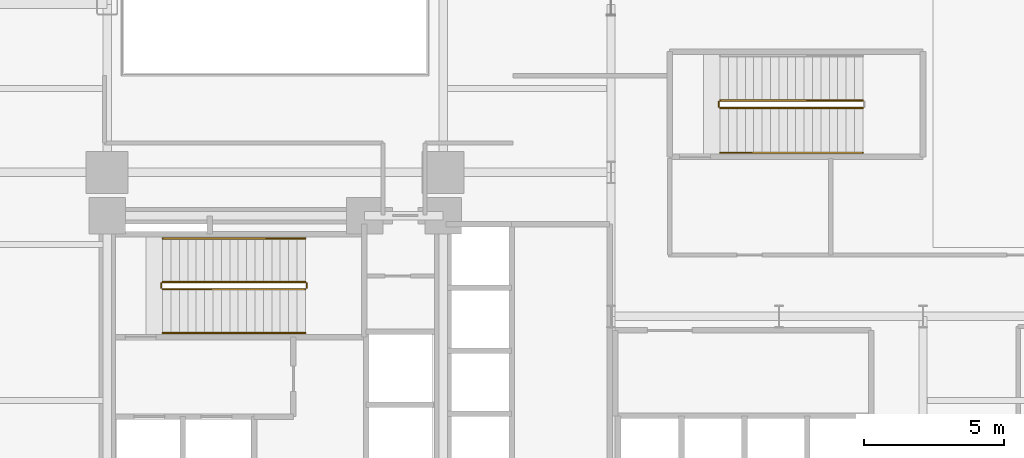
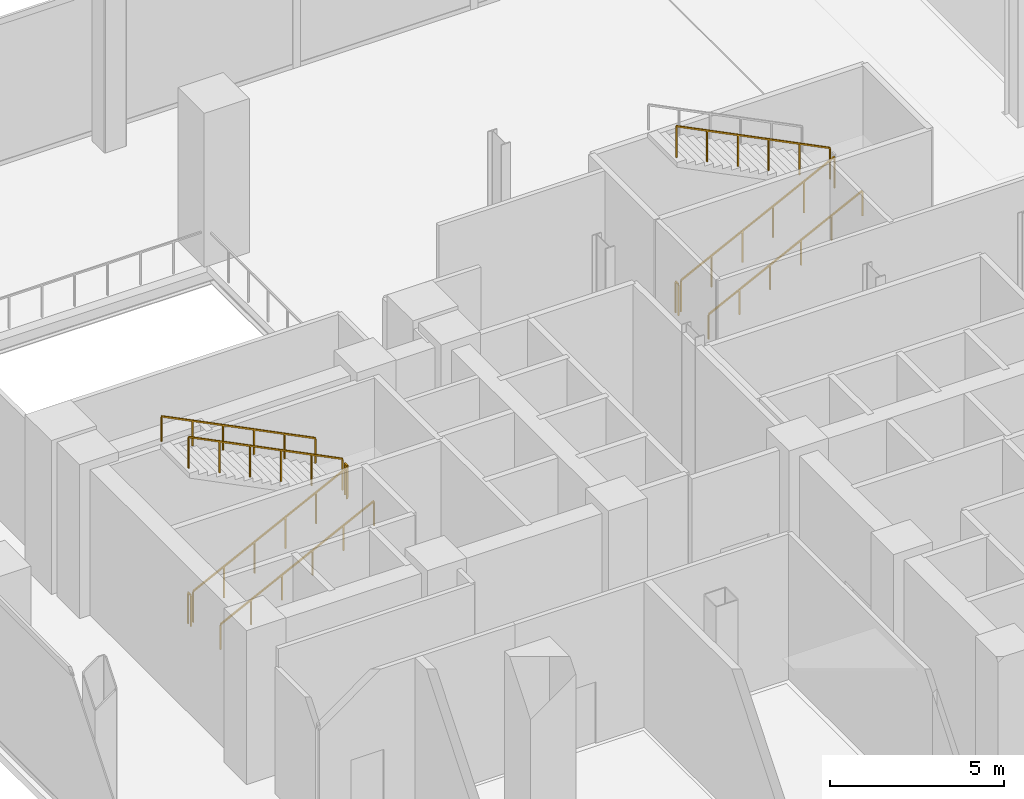
# One storey, part 25 of 28: 10 railings.
"""IFC4 building model written with IfcOpenShell, lengths in metres."""

from ifc_helpers import new_model, si_unit, direction, frame, origin, origin_2d, place, context, subcontext, project, spatial, rectangle, extrude, material, type_object, element, save


model = new_model("IFC4")

# Units and contexts
model_context = context("Model", 3, precision=1e-05, world=origin(), true_north=direction((0.0, 1.0)))
body_context = subcontext(model_context, "Body", "Model", "MODEL_VIEW")
ifc_project = project(units=[si_unit("LENGTHUNIT", "METRE"), si_unit("AREAUNIT", "SQUARE_METRE"), si_unit("VOLUMEUNIT", "CUBIC_METRE"), si_unit("PLANEANGLEUNIT", "RADIAN"), si_unit("MASSUNIT", "GRAM", prefix="KILO"), si_unit("THERMODYNAMICTEMPERATUREUNIT", "KELVIN"), si_unit("POWERUNIT", "WATT")], contexts=[model_context])

# Site, building, storey
site_placement = place(None, origin())
site = spatial("IfcSite", under=ifc_project, at=site_placement, CompositionType="ELEMENT")
building_placement = place(site_placement, origin())
building = spatial("IfcBuilding", under=site, at=building_placement, Name="Svarakhadi Broadcast Tower", CompositionType="ELEMENT")
storey_placement = place(building_placement, frame((0.0, 0.0, 11.10009765625)))
storey = spatial("IfcBuildingStorey", under=building, at=storey_placement, Name="L02", CompositionType="ELEMENT", Elevation=11.10009765625)

# Railings
ifc_material = material(Name="Anodised Bronze Aluminium AA 6063-T6", Category="aluminium")
railing_type_1 = type_object("IfcRailingType", Name="Guard_Stair_GR01", PredefinedType="GUARDRAIL", material=ifc_material)
railing_1_placement = place(storey_placement, frame((7.97998046875, 24.969970703125, 0.14990234375)))
element("IfcRailing", 1, at=railing_1_placement, inside=storey, type_object=railing_type_1, Name="L02 ST-01 stair guard 1", PredefinedType="GUARDRAIL", context=body_context, shape_type="SweptSolid", body=[
    extrude(rectangle(XDim=0.048095703125, YDim=0.048095703125, at=origin_2d()), frame((0.0, 0.0, 1.09619140625), z_axis=(0.894427191, 0.0, 0.4472135955), x_axis=(0.0, 1.0, 0.0)), (0.0, 0.0, 1.0), 5.7021484375),
    extrude(rectangle(XDim=0.0419921875, YDim=0.0419921875, at=origin_2d()), origin(), (0.0, 0.0, 1.0), 1.072021484375),
    extrude(rectangle(XDim=0.0419921875, YDim=0.0419921875, at=origin_2d()), frame((1.02001953125, 0.0, 0.510009765625)), (0.0, 0.0, 1.0), 1.072021484375),
    extrude(rectangle(XDim=0.0419921875, YDim=0.0419921875, at=origin_2d()), frame((2.0400390625, 0.0, 1.02001953125)), (0.0, 0.0, 1.0), 1.072021484375),
    extrude(rectangle(XDim=0.0419921875, YDim=0.0419921875, at=origin_2d()), frame((3.06005859375, 0.0, 1.530029296875)), (0.0, 0.0, 1.0), 1.072021484375),
    extrude(rectangle(XDim=0.0419921875, YDim=0.0419921875, at=origin_2d()), frame((4.080078125, 0.0, 2.0400390625)), (0.0, 0.0, 1.0), 1.072021484375),
    extrude(rectangle(XDim=0.0419921875, YDim=0.0419921875, at=origin_2d()), frame((5.10009765625, 0.0, 2.550048828125)), (0.0, 0.0, 1.0), 1.072021484375),
])
railing_2_placement = place(storey_placement, frame((13.1298828125, 25.02001953125, 2.699951171875)))
element("IfcRailing", 2, at=railing_2_placement, inside=storey, type_object=railing_type_1, Name="L02 ST-01 stair guard 2", PredefinedType="GUARDRAIL", context=body_context, shape_type="SweptSolid", body=[
    extrude(rectangle(XDim=0.048095703125, YDim=0.048095703125, at=origin_2d()), frame((0.0, 0.0, 1.09619140625), z_axis=(0.0, 1.0, 0.0), x_axis=(-1.0, 0.0, 0.0)), (0.0, 0.0, 1.0), 0.159912109375),
    extrude(rectangle(XDim=0.0419921875, YDim=0.0419921875, at=origin_2d()), origin(), (0.0, 0.0, 1.0), 1.072021484375),
    extrude(rectangle(XDim=0.0419921875, YDim=0.0419921875, at=origin_2d()), frame((0.0, 0.159912109375, 0.0)), (0.0, 0.0, 1.0), 1.072021484375),
])
railing_3_placement = place(storey_placement, frame((13.080078125, 25.22998046875, 2.849853515625)))
element("IfcRailing", 3, at=railing_3_placement, inside=storey, type_object=railing_type_1, Name="L02 ST-01 stair guard 3", PredefinedType="GUARDRAIL", context=body_context, shape_type="SweptSolid", body=[
    extrude(rectangle(XDim=0.048095703125, YDim=0.048095703125, at=origin_2d()), frame((0.0, 0.0, 1.09619140625), z_axis=(-0.894427191, 0.0, 0.4472135955), x_axis=(0.0, -1.0, 0.0)), (0.0, 0.0, 1.0), 5.7021484375),
    extrude(rectangle(XDim=0.0419921875, YDim=0.0419921875, at=origin_2d()), origin(), (0.0, 0.0, 1.0), 1.072021484375),
    extrude(rectangle(XDim=0.0419921875, YDim=0.0419921875, at=origin_2d()), frame((-1.02001953125, 0.0, 0.510009765625)), (0.0, 0.0, 1.0), 1.072021484375),
    extrude(rectangle(XDim=0.0419921875, YDim=0.0419921875, at=origin_2d()), frame((-2.0400390625, 0.0, 1.02001953125)), (0.0, 0.0, 1.0), 1.072021484375),
    extrude(rectangle(XDim=0.0419921875, YDim=0.0419921875, at=origin_2d()), frame((-3.06005859375, 0.0, 1.530029296875)), (0.0, 0.0, 1.0), 1.072021484375),
    extrude(rectangle(XDim=0.0419921875, YDim=0.0419921875, at=origin_2d()), frame((-4.080078125, 0.0, 2.0400390625)), (0.0, 0.0, 1.0), 1.072021484375),
    extrude(rectangle(XDim=0.0419921875, YDim=0.0419921875, at=origin_2d()), frame((-5.10009765625, 0.0, 2.550048828125)), (0.0, 0.0, 1.0), 1.072021484375),
])
railing_4_placement = place(storey_placement, frame((7.929931640625, 25.02001953125, 0.0)))
element("IfcRailing", 4, at=railing_4_placement, inside=storey, type_object=railing_type_1, Name="L02 ST-01 stair guard 4", PredefinedType="GUARDRAIL", context=body_context, shape_type="SweptSolid", body=[
    extrude(rectangle(XDim=0.048095703125, YDim=0.048095703125, at=origin_2d()), frame((0.0, 0.0, 1.09619140625), z_axis=(0.0, 1.0, 0.0), x_axis=(-1.0, 0.0, 0.0)), (0.0, 0.0, 1.0), 0.159912109375),
    extrude(rectangle(XDim=0.0419921875, YDim=0.0419921875, at=origin_2d()), origin(), (0.0, 0.0, 1.0), 1.072021484375),
    extrude(rectangle(XDim=0.0419921875, YDim=0.0419921875, at=origin_2d()), frame((0.0, 0.159912109375, 0.0)), (0.0, 0.0, 1.0), 1.072021484375),
])
railing_5_placement = place(storey_placement, frame((27.89990234375, 31.449951171875, 0.14990234375)))
element("IfcRailing", 5, at=railing_5_placement, inside=storey, type_object=railing_type_1, Name="L02 ST-03 stair guard 1", PredefinedType="GUARDRAIL", context=body_context, shape_type="SweptSolid", body=[
    extrude(rectangle(XDim=0.048095703125, YDim=0.048095703125, at=origin_2d()), frame((0.0, 0.0, 1.09619140625), z_axis=(0.894427191, 0.0, 0.4472135955), x_axis=(0.0, 1.0, 0.0)), (0.0, 0.0, 1.0), 5.7021484375),
    extrude(rectangle(XDim=0.0419921875, YDim=0.0419921875, at=origin_2d()), origin(), (0.0, 0.0, 1.0), 1.072021484375),
    extrude(rectangle(XDim=0.0419921875, YDim=0.0419921875, at=origin_2d()), frame((1.02001953125, 0.0, 0.510009765625)), (0.0, 0.0, 1.0), 1.072021484375),
    extrude(rectangle(XDim=0.0419921875, YDim=0.0419921875, at=origin_2d()), frame((2.0400390625, 0.0, 1.02001953125)), (0.0, 0.0, 1.0), 1.072021484375),
    extrude(rectangle(XDim=0.0419921875, YDim=0.0419921875, at=origin_2d()), frame((3.06005859375, 0.0, 1.530029296875)), (0.0, 0.0, 1.0), 1.072021484375),
    extrude(rectangle(XDim=0.0419921875, YDim=0.0419921875, at=origin_2d()), frame((4.080078125, 0.0, 2.0400390625)), (0.0, 0.0, 1.0), 1.072021484375),
    extrude(rectangle(XDim=0.0419921875, YDim=0.0419921875, at=origin_2d()), frame((5.10009765625, 0.0, 2.550048828125)), (0.0, 0.0, 1.0), 1.072021484375),
])
railing_6_placement = place(storey_placement, frame((33.0, 31.7099609375, 2.849853515625)))
element("IfcRailing", 6, at=railing_6_placement, inside=storey, type_object=railing_type_1, Name="L02 ST-03 stair guard 3", PredefinedType="GUARDRAIL", context=body_context, shape_type="SweptSolid", body=[
    extrude(rectangle(XDim=0.048095703125, YDim=0.048095703125, at=origin_2d()), frame((0.0, 0.0, 1.09619140625), z_axis=(-0.894427191, 0.0, 0.4472135955), x_axis=(0.0, -1.0, 0.0)), (0.0, 0.0, 1.0), 5.7021484375),
    extrude(rectangle(XDim=0.0419921875, YDim=0.0419921875, at=origin_2d()), origin(), (0.0, 0.0, 1.0), 1.072021484375),
    extrude(rectangle(XDim=0.0419921875, YDim=0.0419921875, at=origin_2d()), frame((-1.02001953125, 0.0, 0.510009765625)), (0.0, 0.0, 1.0), 1.072021484375),
    extrude(rectangle(XDim=0.0419921875, YDim=0.0419921875, at=origin_2d()), frame((-2.0400390625, 0.0, 1.02001953125)), (0.0, 0.0, 1.0), 1.072021484375),
    extrude(rectangle(XDim=0.0419921875, YDim=0.0419921875, at=origin_2d()), frame((-3.06005859375, 0.0, 1.530029296875)), (0.0, 0.0, 1.0), 1.072021484375),
    extrude(rectangle(XDim=0.0419921875, YDim=0.0419921875, at=origin_2d()), frame((-4.080078125, 0.0, 2.0400390625)), (0.0, 0.0, 1.0), 1.072021484375),
    extrude(rectangle(XDim=0.0419921875, YDim=0.0419921875, at=origin_2d()), frame((-5.10009765625, 0.0, 2.550048828125)), (0.0, 0.0, 1.0), 1.072021484375),
])
railing_7_placement = place(storey_placement, frame((27.85009765625, 31.5, 0.0)))
element("IfcRailing", 7, at=railing_7_placement, inside=storey, type_object=railing_type_1, Name="L02 ST-03 stair guard 4", PredefinedType="GUARDRAIL", context=body_context, shape_type="SweptSolid", body=[
    extrude(rectangle(XDim=0.048095703125, YDim=0.048095703125, at=origin_2d()), frame((0.0, 0.0, 1.09619140625), z_axis=(0.0, 1.0, 0.0), x_axis=(-1.0, 0.0, 0.0)), (0.0, 0.0, 1.0), 0.159912109375),
    extrude(rectangle(XDim=0.0419921875, YDim=0.0419921875, at=origin_2d()), origin(), (0.0, 0.0, 1.0), 1.072021484375),
    extrude(rectangle(XDim=0.0419921875, YDim=0.0419921875, at=origin_2d()), frame((0.0, 0.159912109375, 0.0)), (0.0, 0.0, 1.0), 1.072021484375),
])
railing_type_2 = type_object("IfcRailingType", Name="Handrail_Stair_HR01", PredefinedType="HANDRAIL", material=ifc_material)
railing_8_placement = place(storey_placement, frame((7.97998046875, 23.409912109375, 0.14990234375)))
element("IfcRailing", 8, at=railing_8_placement, inside=storey, type_object=railing_type_2, Name="L02 ST-01 stair handrail 1", PredefinedType="HANDRAIL", context=body_context, shape_type="SweptSolid", body=[
    extrude(rectangle(XDim=0.048095703125, YDim=0.048095703125, at=origin_2d()), frame((0.0, 0.0, 0.8759765625), z_axis=(0.894427191, 0.0, 0.4472135955), x_axis=(0.0, 1.0, 0.0)), (0.0, 0.0, 1.0), 5.7021484375),
    extrude(rectangle(XDim=0.0419921875, YDim=0.0419921875, at=origin_2d()), origin(), (0.0, 0.0, 1.0), 0.851806640625),
    extrude(rectangle(XDim=0.0419921875, YDim=0.0419921875, at=origin_2d()), frame((1.02001953125, 0.0, 0.510009765625)), (0.0, 0.0, 1.0), 0.851806640625),
    extrude(rectangle(XDim=0.0419921875, YDim=0.0419921875, at=origin_2d()), frame((2.0400390625, 0.0, 1.02001953125)), (0.0, 0.0, 1.0), 0.851806640625),
    extrude(rectangle(XDim=0.0419921875, YDim=0.0419921875, at=origin_2d()), frame((3.06005859375, 0.0, 1.530029296875)), (0.0, 0.0, 1.0), 0.851806640625),
    extrude(rectangle(XDim=0.0419921875, YDim=0.0419921875, at=origin_2d()), frame((4.080078125, 0.0, 2.0400390625)), (0.0, 0.0, 1.0), 0.851806640625),
    extrude(rectangle(XDim=0.0419921875, YDim=0.0419921875, at=origin_2d()), frame((5.10009765625, 0.0, 2.550048828125)), (0.0, 0.0, 1.0), 0.851806640625),
])
railing_9_placement = place(storey_placement, frame((13.080078125, 26.7900390625, 2.849853515625)))
element("IfcRailing", 9, at=railing_9_placement, inside=storey, type_object=railing_type_2, Name="L02 ST-01 stair handrail 2", PredefinedType="HANDRAIL", context=body_context, shape_type="SweptSolid", body=[
    extrude(rectangle(XDim=0.048095703125, YDim=0.048095703125, at=origin_2d()), frame((0.0, 0.0, 0.8759765625), z_axis=(-0.894427191, 0.0, 0.4472135955), x_axis=(0.0, -1.0, 0.0)), (0.0, 0.0, 1.0), 5.7021484375),
    extrude(rectangle(XDim=0.0419921875, YDim=0.0419921875, at=origin_2d()), origin(), (0.0, 0.0, 1.0), 0.851806640625),
    extrude(rectangle(XDim=0.0419921875, YDim=0.0419921875, at=origin_2d()), frame((-1.02001953125, 0.0, 0.510009765625)), (0.0, 0.0, 1.0), 0.851806640625),
    extrude(rectangle(XDim=0.0419921875, YDim=0.0419921875, at=origin_2d()), frame((-2.0400390625, 0.0, 1.02001953125)), (0.0, 0.0, 1.0), 0.851806640625),
    extrude(rectangle(XDim=0.0419921875, YDim=0.0419921875, at=origin_2d()), frame((-3.06005859375, 0.0, 1.530029296875)), (0.0, 0.0, 1.0), 0.851806640625),
    extrude(rectangle(XDim=0.0419921875, YDim=0.0419921875, at=origin_2d()), frame((-4.080078125, 0.0, 2.0400390625)), (0.0, 0.0, 1.0), 0.851806640625),
    extrude(rectangle(XDim=0.0419921875, YDim=0.0419921875, at=origin_2d()), frame((-5.10009765625, 0.0, 2.550048828125)), (0.0, 0.0, 1.0), 0.851806640625),
])
railing_10_placement = place(storey_placement, frame((27.89990234375, 29.85009765625, 0.14990234375)))
element("IfcRailing", 10, at=railing_10_placement, inside=storey, type_object=railing_type_2, Name="L02 ST-03 stair handrail 1", PredefinedType="HANDRAIL", context=body_context, shape_type="SweptSolid", body=[
    extrude(rectangle(XDim=0.048095703125, YDim=0.048095703125, at=origin_2d()), frame((0.0, 0.0, 0.8759765625), z_axis=(0.894427191, 0.0, 0.4472135955), x_axis=(0.0, 1.0, 0.0)), (0.0, 0.0, 1.0), 5.7021484375),
    extrude(rectangle(XDim=0.0419921875, YDim=0.0419921875, at=origin_2d()), origin(), (0.0, 0.0, 1.0), 0.851806640625),
    extrude(rectangle(XDim=0.0419921875, YDim=0.0419921875, at=origin_2d()), frame((1.02001953125, 0.0, 0.510009765625)), (0.0, 0.0, 1.0), 0.851806640625),
    extrude(rectangle(XDim=0.0419921875, YDim=0.0419921875, at=origin_2d()), frame((2.0400390625, 0.0, 1.02001953125)), (0.0, 0.0, 1.0), 0.851806640625),
    extrude(rectangle(XDim=0.0419921875, YDim=0.0419921875, at=origin_2d()), frame((3.06005859375, 0.0, 1.530029296875)), (0.0, 0.0, 1.0), 0.851806640625),
    extrude(rectangle(XDim=0.0419921875, YDim=0.0419921875, at=origin_2d()), frame((4.080078125, 0.0, 2.0400390625)), (0.0, 0.0, 1.0), 0.851806640625),
    extrude(rectangle(XDim=0.0419921875, YDim=0.0419921875, at=origin_2d()), frame((5.10009765625, 0.0, 2.550048828125)), (0.0, 0.0, 1.0), 0.851806640625),
])

save(model, "model.ifc")
